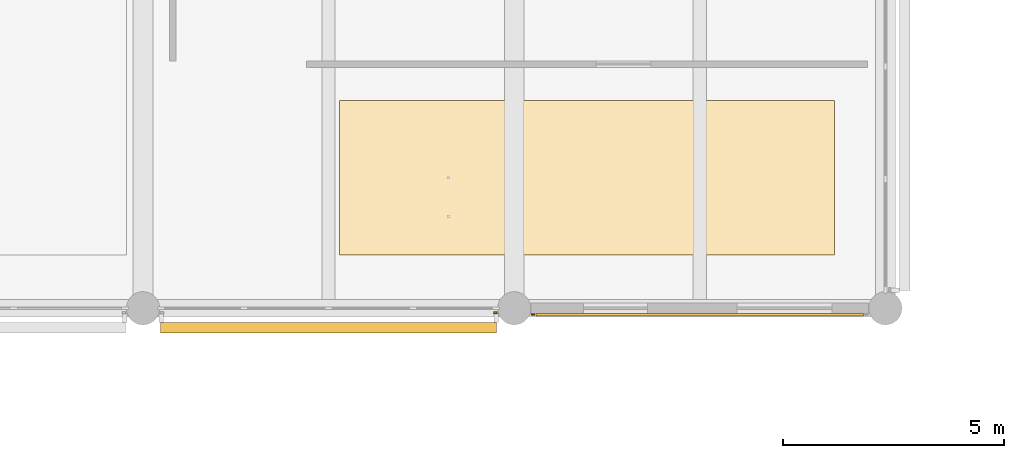
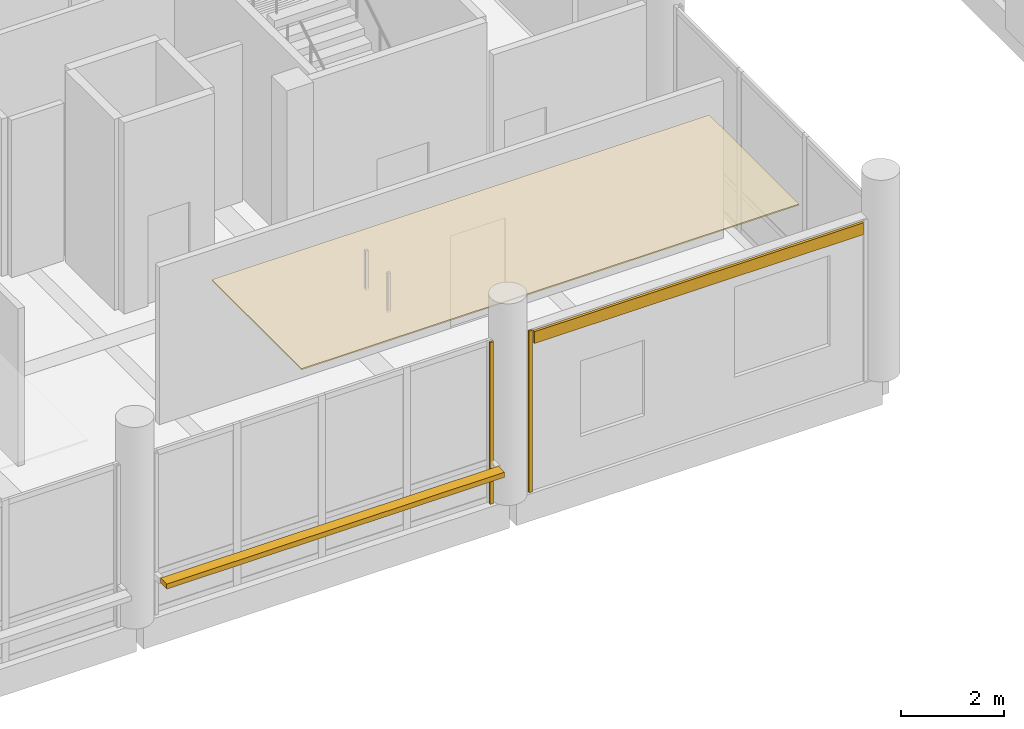
# One storey, part 84 of 122: 4 coverings, 1 shading device.
"""IFC4 building model written with IfcOpenShell, lengths in metres."""

from ifc_helpers import new_model, si_unit, direction, frame, origin, origin_2d, place, context, subcontext, project, spatial, polyline, rectangle, outline, extrude, material, layer, layer_set, type_object, element, save


model = new_model("IFC4")

# Units and contexts
model_context = context("Model", 3, precision=1e-05, world=origin(), true_north=direction((0.0, 1.0)))
body_context = subcontext(model_context, "Body", "Model", "MODEL_VIEW")
ifc_project = project(units=[si_unit("LENGTHUNIT", "METRE"), si_unit("AREAUNIT", "SQUARE_METRE"), si_unit("VOLUMEUNIT", "CUBIC_METRE"), si_unit("PLANEANGLEUNIT", "RADIAN"), si_unit("MASSUNIT", "GRAM", prefix="KILO")], contexts=[model_context])

# Site, building, storey
site_placement = place(None, origin())
site = spatial("IfcSite", under=ifc_project, at=site_placement, CompositionType="ELEMENT")
building_placement = place(site_placement, origin())
building = spatial("IfcBuilding", under=site, at=building_placement, Name="Telukmera Botanical Conservatory", CompositionType="ELEMENT")
storey_placement = place(building_placement, frame((0.0, 0.0, 10.199951171875)))
storey = spatial("IfcBuildingStorey", under=building, at=storey_placement, Name="L02", CompositionType="ELEMENT", Elevation=10.199951171875)

# Coverings
ifc_material_1 = material(Name="Mineral fibre acoustic ceiling")
ifc_layer_1 = layer(ifc_material_1, 0.030029296875)
ifc_layer_set_1 = layer_set([ifc_layer_1], Name="Mineral fibre acoustic ceiling")
covering_type_1 = type_object("IfcCoveringType", Name="COV-CEIL-30", PredefinedType="CEILING", material=ifc_layer_set_1)
covering_1_placement = place(storey_placement, frame((0.0, 0.0, 3.6201171875)))
element("IfcCovering", 1, at=covering_1_placement, inside=storey, type_object=covering_type_1, Name="L02 Curriculum Faculty Studio Suspended Acoustic Ceiling", PredefinedType="CEILING", context=body_context, shape_type="SweptSolid", body=[
    extrude(outline(polyline([(29.64990234375, 18.800048828125), (40.85009765625, 18.800048828125), (40.85009765625, 22.300048828125), (29.64990234375, 22.300048828125), (29.64990234375, 18.800048828125)])), origin(), (0.0, 0.0, 1.0), 0.030029296875),
])
ifc_material_2 = material(Name="Granite-faced precast concrete C40/50", Category="masonry")
ifc_layer_2 = layer(ifc_material_2, 0.0400390625)
ifc_layer_set_2 = layer_set([ifc_layer_2], Name="Granite-faced precast concrete C40/50")
covering_type_2 = type_object("IfcCoveringType", Name="Granite Precast Column Pier Reveal Casing", PredefinedType="CLADDING", material=ifc_layer_set_2)
for number, where, z_axis, x_axis, name in (
    (2, (33.173095703125, 17.5, 0.0), (0.0, 0.0, 1.0), (1.0, 0.0, 0.0), "Granite Pier Reveal V3:L02:S3 R"),
    (3, (34.027099609375, 17.4599609375, 0.0), (0.0, 0.0, 1.0), (1.0, 0.0, 0.0), "Granite Pier Reveal V3:L02:S4 L"),
):
    element("IfcCovering", number, at=place(storey_placement, frame(where, z_axis=z_axis, x_axis=x_axis)), inside=storey, type_object=covering_type_2, Name=name, PredefinedType="CLADDING", context=body_context, shape_type="SweptSolid", body=[
        extrude(rectangle(XDim=0.080078125, YDim=0.0400390625, at=origin_2d()), origin(), (0.0, 0.0, 1.0), 3.85009765625),
    ])

# Shading device
ifc_material_3 = material(Name="Perforated terracotta-anodised aluminium 6063-T6", Category="masonry")
ifc_layer_3 = layer(ifc_material_3, 0.044921875)
ifc_layer_set_3 = layer_set([ifc_layer_3], Name="Perforated terracotta-anodised aluminium 6063-T6")
shading_device_type = type_object("IfcShadingDeviceType", Name="Perforated Terracotta Aluminium Monsoon Brise Soleil", PredefinedType="JALOUSIE", material=ifc_layer_set_3)
shading_device_placement = place(storey_placement, frame((29.39990234375, 17.159912109375, 0.889892578125), z_axis=(0.0, 0.0, 1.0), x_axis=(1.0, 0.0, 0.0)))
element("IfcShadingDevice", 4, at=shading_device_placement, inside=storey, type_object=shading_device_type, Name="Monsoon Shading BS01 V3:L02:S3", PredefinedType="JALOUSIE", context=body_context, shape_type="SweptSolid", body=[
    extrude(rectangle(XDim=7.60595703125, YDim=0.239990234375, at=origin_2d()), origin(), (0.0, 0.0, 1.0), 0.1201171875),
])

# Covering
ifc_material_4 = material(Name="Terracotta-faced precast concrete C40/50", Category="masonry")
ifc_layer_4 = layer(ifc_material_4, 0.06005859375)
ifc_layer_set_4 = layer_set([ifc_layer_4], Name="Terracotta-faced precast concrete C40/50")
covering_type_3 = type_object("IfcCoveringType", Name="Polychrome Terracotta Facade Band Cladding", PredefinedType="CLADDING", material=ifc_layer_set_4)
covering_2_placement = place(storey_placement, frame((37.800048828125, 17.449951171875, 3.5302734375), z_axis=(0.0, 0.0, 1.0), x_axis=(1.0, 0.0, 0.0)))
element("IfcCovering", 5, at=covering_2_placement, inside=storey, type_object=covering_type_3, Name="Polychrome Terracotta Band V3:L02:S4", PredefinedType="CLADDING", context=body_context, shape_type="SweptSolid", body=[
    extrude(rectangle(XDim=7.406005859375, YDim=0.06005859375, at=origin_2d()), origin(), (0.0, 0.0, 1.0), 0.280029296875),
])

save(model, "model.ifc")
